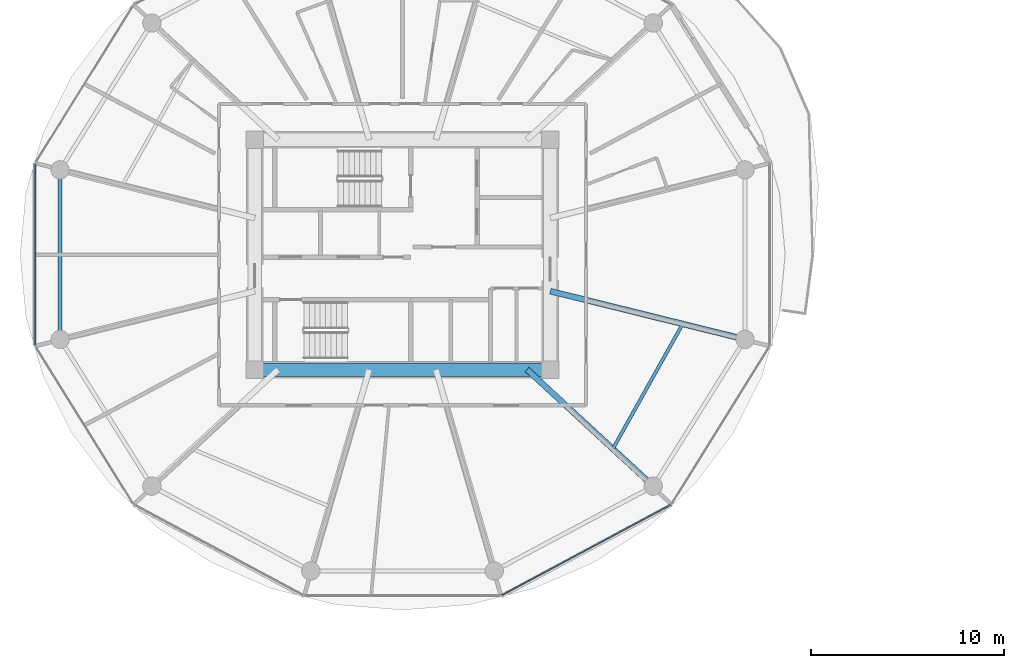
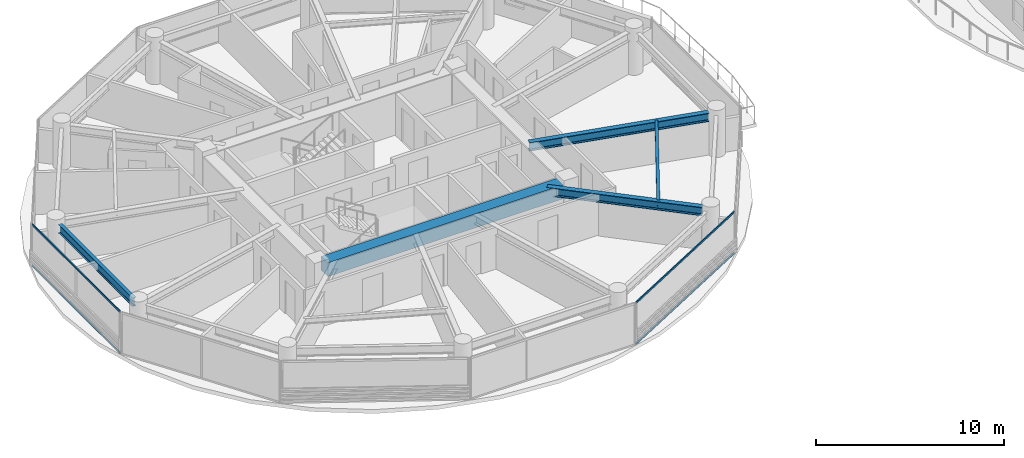
# One storey, part 3 of 26: 5 beams, 4 members, 2 elements without a shape of their own.
"""IFC4 building model written with IfcOpenShell, lengths in metres."""

from ifc_helpers import new_model, si_unit, direction, frame, origin, origin_2d, place, context, subcontext, project, spatial, rectangle, i_section, extrude, source, transform, mapped, material, layer, layer_set, material_profile, profile_set, type_object, type_shapes, element, aggregate, save


model = new_model("IFC4")

# Units and contexts
model_context = context("Model", 3, precision=1e-05, world=origin(), true_north=direction((0.0, 1.0)))
body_context = subcontext(model_context, "Body", "Model", "MODEL_VIEW")
ifc_project = project(units=[si_unit("LENGTHUNIT", "METRE"), si_unit("AREAUNIT", "SQUARE_METRE"), si_unit("VOLUMEUNIT", "CUBIC_METRE"), si_unit("PLANEANGLEUNIT", "RADIAN"), si_unit("MASSUNIT", "GRAM", prefix="KILO")], contexts=[model_context])

# Site, building, storey
site_placement = place(None, origin())
site = spatial("IfcSite", under=ifc_project, at=site_placement, CompositionType="ELEMENT")
building_placement = place(site_placement, origin())
building = spatial("IfcBuilding", under=site, at=building_placement, Name="Norrkilde Senior Care Towers", CompositionType="ELEMENT")
storey_placement = place(building_placement, frame((0.0, 0.0, 70.39990234375)))
storey = spatial("IfcBuildingStorey", under=building, at=storey_placement, Name="L21", CompositionType="ELEMENT", Elevation=70.39990234375)

# Beams
ifc_material_1 = material(Name="Concrete C60/75", Category="concrete")
ifc_material_profile_1 = material_profile(ifc_material_1, rectangle(XDim=0.699951171875, YDim=0.89990234375, at=origin_2d()), Name="RC BM 700x900")
ifc_profile_set_1 = profile_set([ifc_material_profile_1], Name="Concrete C60/75")
beam_type_1 = type_object("IfcBeamType", Name="Core Coupling Girder 700x900", PredefinedType="USERDEFINED", material=ifc_profile_set_1)
shared_shape_1 = source(origin(), body_context, "Body", "SweptSolid", [
    extrude(rectangle(XDim=0.699951171875, YDim=0.89990234375, at=origin_2d()), origin(), (0.0, 0.0, 1.0), 14.43994140625),
])
type_shapes(beam_type_1, [shared_shape_1])
beam_1_placement = place(storey_placement, frame((-35.219970703125, -5.949951171875, 2.280029296875), z_axis=(1.0, 0.0, 0.0), x_axis=(0.0, 1.0, 0.0)))
element("IfcBeam", 1, at=beam_1_placement, inside=storey, type_object=beam_type_1, Name="L21 Core W S Coupling Girder", ObjectType="GIRDER", PredefinedType="USERDEFINED", context=body_context, shape_type="MappedRepresentation", body=[
    mapped(shared_shape_1, transform((0.0, 0.0, 0.0), x_axis=(1.0, 0.0, 0.0), y_axis=(0.0, 1.0, 0.0), z_axis=(0.0, 0.0, 1.0), scale=1.0)),
])
ifc_material_2 = material(Name="Steel S355", Category="steel")
ifc_material_profile_2 = material_profile(ifc_material_2, i_section(OverallWidth=0.300048828125, OverallDepth=0.550048828125, WebThickness=0.014892578125, FlangeThickness=0.029052734375, FilletRadius=0.027099609375, at=origin_2d()), Name="HEB 550")
ifc_profile_set_2 = profile_set([ifc_material_profile_2], Name="Steel S355")
beam_type_2 = type_object("IfcBeamType", Name="Radial Floor Beam Z1 HEB550", PredefinedType="BEAM", material=ifc_profile_set_2)
shared_shape_2 = source(origin(), body_context, "Body", "SweptSolid", [
    extrude(i_section(OverallWidth=0.300048828125, OverallDepth=0.550048828125, WebThickness=0.014892578125, FlangeThickness=0.029052734375, FilletRadius=0.027099609375, at=origin_2d()), origin(), (0.0, 0.0, 1.0), 9.94384765625),
])
beam_2_placement = place(storey_placement, frame((-20.35009765625, -1.893310546875, 2.455078125), z_axis=(0.970707425182, -0.240264634718, 0.0), x_axis=(0.240264634718, 0.970707425182, 0.0)))
element("IfcBeam", 2, at=beam_2_placement, inside=storey, type_object=beam_type_2, Name="L21 Drum W Radial Floor Beam 12", PredefinedType="BEAM", context=body_context, shape_type="MappedRepresentation", body=[
    mapped(shared_shape_2, transform((0.0, 0.0, 0.0), x_axis=(1.0, 0.0, 0.0), y_axis=(0.0, 1.0, 0.0), z_axis=(0.0, 0.0, 1.0), scale=1.0)),
])
shared_shape_3 = source(origin(), body_context, "Body", "SweptSolid", [
    extrude(i_section(OverallWidth=0.300048828125, OverallDepth=0.550048828125, WebThickness=0.014892578125, FlangeThickness=0.029052734375, FilletRadius=0.027099609375, at=origin_2d()), origin(), (0.0, 0.0, 1.0), 8.459716796875),
])
type_shapes(beam_type_2, [shared_shape_2, shared_shape_3])
beam_3_placement = place(storey_placement, frame((-21.55859375, -5.949951171875, 2.455078125), z_axis=(0.734573269108, -0.678529374686, 0.0), x_axis=(0.678529374686, 0.734573269108, 0.0)))
element("IfcBeam", 3, at=beam_3_placement, inside=storey, type_object=beam_type_2, Name="L21 Drum W Radial Floor Beam 11", PredefinedType="BEAM", context=body_context, shape_type="MappedRepresentation", body=[
    mapped(shared_shape_3, transform((0.0, 0.0, 0.0), x_axis=(1.0, 0.0, 0.0), y_axis=(0.0, 1.0, 0.0), z_axis=(0.0, 0.0, 1.0), scale=1.0)),
])
ifc_material_profile_3 = material_profile(ifc_material_2, i_section(OverallWidth=0.2099609375, OverallDepth=0.550048828125, WebThickness=0.010986328125, FlangeThickness=0.01708984375, FilletRadius=0.02392578125, at=origin_2d()), Name="IPE 550")
ifc_profile_set_3 = profile_set([ifc_material_profile_3], Name="Steel S355")
beam_type_3 = type_object("IfcBeamType", Name="Perimeter Ring Spandrel Z1 IPE550", PredefinedType="SPANDREL", material=ifc_profile_set_3)
shared_shape_4 = source(origin(), body_context, "Body", "SweptSolid", [
    extrude(i_section(OverallWidth=0.2099609375, OverallDepth=0.550048828125, WebThickness=0.010986328125, FlangeThickness=0.01708984375, FilletRadius=0.02392578125, at=origin_2d()), origin(), (0.0, 0.0, 1.0), 7.90380859375),
])
type_shapes(beam_type_3, [shared_shape_4])
beam_4_placement = place(storey_placement, frame((-45.724853515625, 3.951904296875, 2.455078125), z_axis=(0.0, -1.0, 0.0), x_axis=(1.0, 0.0, 0.0)))
element("IfcBeam", 4, at=beam_4_placement, inside=storey, type_object=beam_type_3, Name="L21 Drum W Perimeter Spandrel 06", PredefinedType="SPANDREL", context=body_context, shape_type="MappedRepresentation", body=[
    mapped(shared_shape_4, transform((0.0, 0.0, 0.0), x_axis=(1.0, 0.0, 0.0), y_axis=(0.0, 1.0, 0.0), z_axis=(0.0, 0.0, 1.0), scale=1.0)),
])
ifc_material_profile_4 = material_profile(ifc_material_2, i_section(OverallWidth=0.169921875, OverallDepth=0.360107421875, WebThickness=0.008056640625, FlangeThickness=0.0126953125, FilletRadius=0.01806640625, at=origin_2d()), Name="IPE 360")
ifc_profile_set_4 = profile_set([ifc_material_profile_4], Name="Steel S355")
beam_type_4 = type_object("IfcBeamType", Name="Secondary Floor Joist IPE360", PredefinedType="JOIST", material=ifc_profile_set_4)
shared_shape_5 = source(origin(), body_context, "Body", "SweptSolid", [
    extrude(i_section(OverallWidth=0.169921875, OverallDepth=0.360107421875, WebThickness=0.008056640625, FlangeThickness=0.0126953125, FilletRadius=0.01806640625, at=origin_2d()), origin(), (0.0, 0.0, 1.0), 7.40771484375),
])
type_shapes(beam_type_4, [shared_shape_5])
beam_5_placement = place(storey_placement, frame((-17.115478515625, -10.05419921875, 2.550048828125), z_axis=(0.488167754092, 0.872749817453, 0.0), x_axis=(-0.872749817453, 0.488167754092, 0.0)))
element("IfcBeam", 5, at=beam_5_placement, inside=storey, type_object=beam_type_4, Name="L21 Drum W Secondary Floor Joist 4", PredefinedType="JOIST", context=body_context, shape_type="MappedRepresentation", body=[
    mapped(shared_shape_5, transform((0.0, 0.0, 0.0), x_axis=(1.0, 0.0, 0.0), y_axis=(0.0, 1.0, 0.0), z_axis=(0.0, 0.0, 1.0), scale=1.0)),
])

# Curtain wall, members
ifc_material_3 = material(Name="Triple Low-E Insulated Glazing", Category="glass")
ifc_layer = layer(ifc_material_3, 0.199951171875)
ifc_layer_set = layer_set([ifc_layer], Name="Triple Low-E Insulated Glazing")
curtain_wall_type = type_object("IfcCurtainWallType", Name="CW2 Zone 1 Memory Care Curtain Wall", PredefinedType="NOTDEFINED", material=ifc_layer_set)
curtain_wall_1_placement = place(storey_placement, origin())
curtain_wall_1 = element("IfcCurtainWall", 6, at=curtain_wall_1_placement, inside=storey, type_object=curtain_wall_type, Name="L21 Drum W Curtain Wall 09", PredefinedType="NOTDEFINED")
ifc_material_4 = material(Name="Anodised Aluminium", Category="aluminium")
ifc_material_profile_5 = material_profile(ifc_material_4, rectangle(XDim=0.06005859375, YDim=0.1201171875, at=origin_2d()), Name="ALU TRAN 60x120")
ifc_profile_set_5 = profile_set([ifc_material_profile_5], Name="Anodised Aluminium")
member_type = type_object("IfcMemberType", Name="Curtain Wall Transom Typical 60x120", PredefinedType="USERDEFINED", material=ifc_profile_set_5)
shared_shape_6 = source(origin(), body_context, "Body", "SweptSolid", [
    extrude(rectangle(XDim=0.06005859375, YDim=0.1201171875, at=origin_2d()), origin(), (0.0, 0.0, 1.0), 9.880859375),
])
member_1_placement = place(storey_placement, frame((-14.141357421875, -12.95654296875, 0.030029296875), z_axis=(-0.881267204043, -0.47261836092, 0.0), x_axis=(0.47261836092, -0.881267204043, 0.0)))
member_1 = element("IfcMember", 7, at=member_1_placement, type_object=member_type, Name="CW-2 transom 1.1", ObjectType="TRANSOM", PredefinedType="USERDEFINED", context=body_context, shape_type="MappedRepresentation", body=[
    mapped(shared_shape_6, transform((0.0, 0.0, 0.0), x_axis=(1.0, 0.0, 0.0), y_axis=(0.0, 1.0, 0.0), z_axis=(0.0, 0.0, 1.0), scale=1.0)),
])
member_2_placement = place(storey_placement, frame((-14.141357421875, -12.95654296875, 2.7001953125), z_axis=(-0.881267204043, -0.47261836092, 0.0), x_axis=(0.47261836092, -0.881267204043, 0.0)))
member_2 = element("IfcMember", 8, at=member_2_placement, type_object=member_type, Name="CW-2 transom 1.2", ObjectType="TRANSOM", PredefinedType="USERDEFINED", context=body_context, shape_type="MappedRepresentation", body=[
    mapped(shared_shape_6, transform((0.0, 0.0, 0.0), x_axis=(1.0, 0.0, 0.0), y_axis=(0.0, 1.0, 0.0), z_axis=(0.0, 0.0, 1.0), scale=1.0)),
])
aggregate(curtain_wall_1, [member_1, member_2])

curtain_wall_2_placement = place(storey_placement, origin())
curtain_wall_2 = element("IfcCurtainWall", 9, at=curtain_wall_2_placement, inside=storey, type_object=curtain_wall_type, Name="L21 Drum W Curtain Wall 05", PredefinedType="NOTDEFINED")
shared_shape_7 = source(origin(), body_context, "Body", "SweptSolid", [
    extrude(rectangle(XDim=0.06005859375, YDim=0.1201171875, at=origin_2d()), origin(), (0.0, 0.0, 1.0), 9.33251953125),
])
type_shapes(member_type, [shared_shape_6, shared_shape_7])
member_3_placement = place(storey_placement, frame((-47.009521484375, -4.666259765625, 0.030029296875), z_axis=(0.0, 1.0, 0.0), x_axis=(-1.0, 0.0, 0.0)))
member_3 = element("IfcMember", 10, at=member_3_placement, type_object=member_type, Name="CW-2 transom 1.1", ObjectType="TRANSOM", PredefinedType="USERDEFINED", context=body_context, shape_type="MappedRepresentation", body=[
    mapped(shared_shape_7, transform((0.0, 0.0, 0.0), x_axis=(1.0, 0.0, 0.0), y_axis=(0.0, 1.0, 0.0), z_axis=(0.0, 0.0, 1.0), scale=1.0)),
])
member_4_placement = place(storey_placement, frame((-47.009521484375, -4.666259765625, 2.7001953125), z_axis=(0.0, 1.0, 0.0), x_axis=(-1.0, 0.0, 0.0)))
member_4 = element("IfcMember", 11, at=member_4_placement, type_object=member_type, Name="CW-2 transom 1.2", ObjectType="TRANSOM", PredefinedType="USERDEFINED", context=body_context, shape_type="MappedRepresentation", body=[
    mapped(shared_shape_7, transform((0.0, 0.0, 0.0), x_axis=(1.0, 0.0, 0.0), y_axis=(0.0, 1.0, 0.0), z_axis=(0.0, 0.0, 1.0), scale=1.0)),
])
aggregate(curtain_wall_2, [member_3, member_4])

save(model, "model.ifc")
